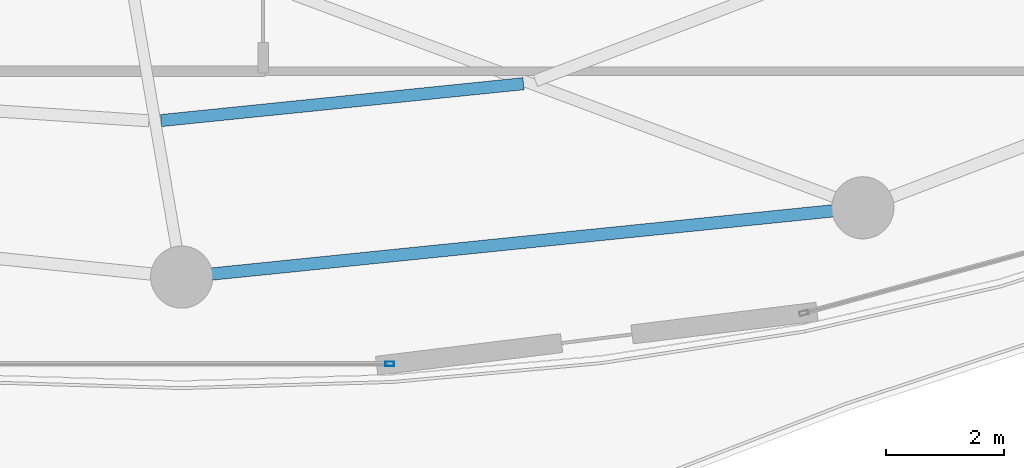
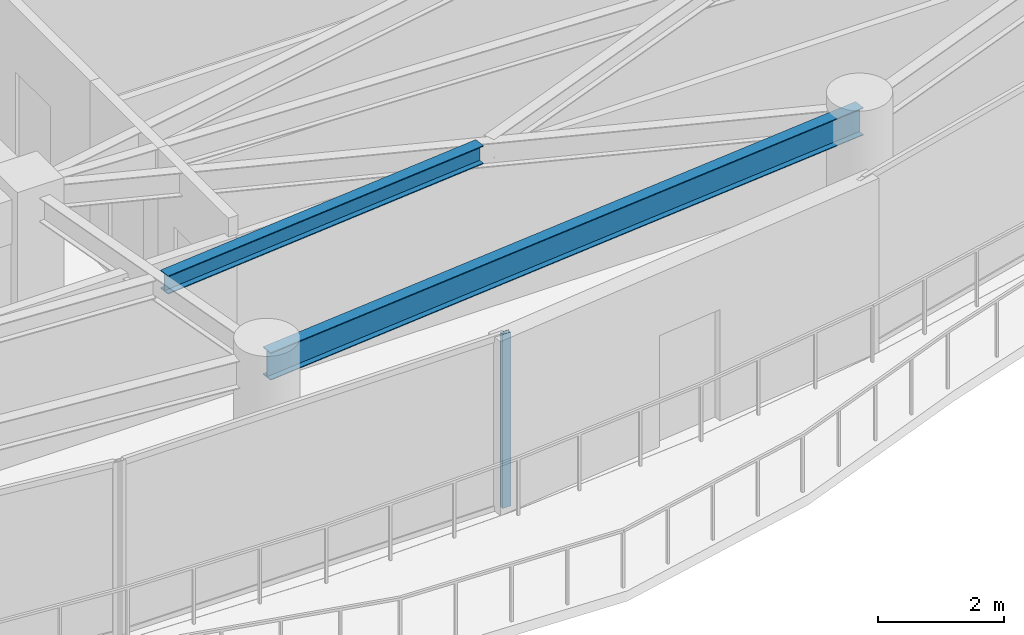
# One storey, part 10 of 31: 2 beams, 1 member, 1 element without a shape of its own.
"""IFC4 building model written with IfcOpenShell, lengths in metres."""

import ifcopenshell
import ifcopenshell.guid

model = None  # the IFC model being written
_history = None  # IfcOwnerHistory: only IFC2X3 demands one
_inside = {}  # id of a spatial element -> (the spatial element, [elements in it])
_under = {}  # id of a project, library or spatial element -> (it, [spatial elements below it])
_declared = {}  # id of a project -> (the project, [libraries it declares])
_typed = {}  # id of a type object -> (the type object, [elements of that type])
_made_of = {}  # id of a material, layer set ... -> (it, [elements and type objects made of it])


def new_model(schema):
    """Start an empty IFC model of exactly this schema.

    Asked for "IFC4X3", IfcOpenShell would pick the latest addendum, in which some entities
    have other attributes; the version numbers below select the first issue.
    IFC2X3 requires an IfcOwnerHistory on every rooted entity: one is made here for all.
    """
    global model, _history
    if schema == "IFC4X3":
        model = ifcopenshell.file(schema_version=(4, 3, 0, 0))
    else:
        model = ifcopenshell.file(schema=schema)
    _inside.clear()
    _under.clear()
    _declared.clear()
    _typed.clear()
    _made_of.clear()
    _history = None
    if model.schema == "IFC2X3":
        org = make("IfcOrganization", Name="unknown")
        user = make(
            "IfcPersonAndOrganization",
            ThePerson=make("IfcPerson", FamilyName="unknown"),
            TheOrganization=org,
        )
        app = make(
            "IfcApplication",
            ApplicationDeveloper=org,
            Version="unknown",
            ApplicationFullName="unknown",
            ApplicationIdentifier="unknown",
        )
        _history = make(
            "IfcOwnerHistory",
            OwningUser=user,
            OwningApplication=app,
            ChangeAction="ADDED",
            CreationDate=0,
        )
    return model


def make(cls, **values):
    """One entity of the class cls with the attributes given. An attribute that is None is left unset."""
    return model.create_entity(
        cls, **{name: value for name, value in values.items() if value is not None}
    )


def rooted(cls, **values):
    """An entity with a GlobalId (a new one), such as an element, a storey or a relation."""
    return make(cls, GlobalId=ifcopenshell.guid.new(), OwnerHistory=_history, **values)


def si_unit(unit_type, name, prefix=None):
    """IfcSIUnit, for example si_unit("LENGTHUNIT", "METRE", prefix="MILLI")."""
    return make("IfcSIUnit", UnitType=unit_type, Prefix=prefix, Name=name)


def assignment(units):
    """IfcUnitAssignment: the units of a project."""
    return None if units is None else make("IfcUnitAssignment", Units=units)


def point(xyz):
    """IfcCartesianPoint."""
    return None if xyz is None else make("IfcCartesianPoint", Coordinates=xyz)


def direction(xyz):
    """IfcDirection."""
    return None if xyz is None else make("IfcDirection", DirectionRatios=xyz)


def frame(location, z_axis=None, x_axis=None):
    """IfcAxis2Placement3D, a coordinate frame: its origin and axes. An axis left out is left unset."""
    return make(
        "IfcAxis2Placement3D",
        Location=point(location),
        Axis=direction(z_axis),
        RefDirection=direction(x_axis),
    )


def frame_2d(location, x_axis=None):
    """IfcAxis2Placement2D, a coordinate frame in the plane: its origin and x axis."""
    return make(
        "IfcAxis2Placement2D", Location=point(location), RefDirection=direction(x_axis)
    )


def origin():
    """The frame at (0, 0, 0) with its axes left unset."""
    return frame((0.0, 0.0, 0.0))


def origin_2d():
    """The frame at (0, 0) in the plane with its x axis left unset."""
    return frame_2d((0.0, 0.0))


def place(relative_to, where):
    """IfcLocalPlacement: puts the frame where relative to a parent placement (None: the world)."""
    return make(
        "IfcLocalPlacement", PlacementRelTo=relative_to, RelativePlacement=where
    )


def context(
    kind, dimensions, precision=None, world=None, true_north=None, identifier=None
):
    """IfcGeometricRepresentationContext, for example the 3D "Model" context."""
    return make(
        "IfcGeometricRepresentationContext",
        ContextIdentifier=identifier,
        ContextType=kind,
        CoordinateSpaceDimension=dimensions,
        Precision=precision,
        WorldCoordinateSystem=world,
        TrueNorth=true_north,
    )


def subcontext(parent, identifier, kind, view, scale=None):
    """IfcGeometricRepresentationSubContext, for example "Body" below "Model"."""
    return make(
        "IfcGeometricRepresentationSubContext",
        ContextIdentifier=identifier,
        ContextType=kind,
        ParentContext=parent,
        TargetScale=scale,
        TargetView=view,
    )


def project(units=None, contexts=None):
    """IfcProject with its units and contexts."""
    return rooted(
        "IfcProject",
        Name="project",
        RepresentationContexts=contexts,
        UnitsInContext=assignment(units),
    )


def spatial(cls, under=None, at=None, **own):
    """A site, building, storey or space (cls), placed at a placement, below another one or the project."""
    s = rooted(cls, ObjectPlacement=at, **own)
    if under is not None:
        _under.setdefault(under.id(), (under, []))[1].append(s)
    return s


def profile(cls, at=None, kind="AREA", **sizes):
    """A parametric profile (cls). Its sizes go by their IFC names, for example OverallWidth=200.0."""
    return make(cls, ProfileType=kind, Position=at, **sizes)


def hollow_rectangle(**sizes):
    """IfcRectangleHollowProfileDef."""
    return profile("IfcRectangleHollowProfileDef", **sizes)


def i_section(**sizes):
    """IfcIShapeProfileDef."""
    return profile("IfcIShapeProfileDef", **sizes)


def extrude(swept, where, along, depth):
    """IfcExtrudedAreaSolid: the profile swept, set in the frame where, extruded along a direction by depth."""
    return make(
        "IfcExtrudedAreaSolid",
        SweptArea=swept,
        Position=where,
        ExtrudedDirection=direction(along),
        Depth=depth,
    )


def shape(context_of_items, identifier, shape_type, items):
    """IfcShapeRepresentation: the items that make up one representation, for example the "Body"."""
    return make(
        "IfcShapeRepresentation",
        ContextOfItems=context_of_items,
        RepresentationIdentifier=identifier,
        RepresentationType=shape_type,
        Items=items,
    )


def material(Name=None, Category=None):
    """IfcMaterial."""
    return make("IfcMaterial", Name=Name, Category=Category)


def layer(
    of_material, thickness, ventilated=None, Name=None, Category=None, Priority=None
):
    """IfcMaterialLayer: one layer of a wall or slab, of a material (None: an air gap)."""
    return make(
        "IfcMaterialLayer",
        Material=of_material,
        LayerThickness=thickness,
        IsVentilated=ventilated,
        Name=Name,
        Category=Category,
        Priority=Priority,
    )


def layer_set(layers, Name=None):
    """IfcMaterialLayerSet."""
    return make("IfcMaterialLayerSet", MaterialLayers=layers, LayerSetName=Name)


def material_profile(
    of_material, cross_section, Name=None, Category=None, Priority=None
):
    """IfcMaterialProfile: a cross section and its material."""
    return make(
        "IfcMaterialProfile",
        Name=Name,
        Material=of_material,
        Profile=cross_section,
        Priority=Priority,
        Category=Category,
    )


def profile_set(profiles, Name=None, composite=None):
    """IfcMaterialProfileSet."""
    return make(
        "IfcMaterialProfileSet",
        Name=Name,
        MaterialProfiles=profiles,
        CompositeProfile=composite,
    )


def made_of(thing, what):
    """Note that an element or type object is made of a material, layer set ...; save() writes the relation."""
    if what is not None:
        _made_of.setdefault(what.id(), (what, []))[1].append(thing)
    return thing


def type_object(cls, material=None, **own):
    """A type object (cls), such as IfcWallType, which elements share."""
    return made_of(rooted(cls, **own), material)


def element(
    cls,
    number,
    at=None,
    inside=None,
    cuts=None,
    type_object=None,
    material=None,
    context=None,
    identifier="Body",
    shape_type=None,
    held_by="IfcProductDefinitionShape",
    body=None,
    shapes=None,
    **own,
):
    """One element of the class cls, such as IfcWall. Its Tag is "e" and its number.

    at: its placement. inside: the storey or other place that contains it. cuts: it is an
    opening in that element (IfcRelVoidsElement). A single representation is given by context,
    identifier, shape_type and body (its items); several are given by shapes. held_by: the class
    of the entity that holds the representations. save() writes the other relations.
    """
    e = rooted(cls, Tag="e%d" % number, ObjectPlacement=at, **own)
    if body is not None:
        shapes = [shape(context, identifier, shape_type, body)]
    if shapes is not None:
        e.Representation = make(held_by, Representations=shapes)
    if inside is not None:
        _inside.setdefault(inside.id(), (inside, []))[1].append(e)
    if cuts is not None:
        rooted(
            "IfcRelVoidsElement", RelatingBuildingElement=cuts, RelatedOpeningElement=e
        )
    if type_object is not None:
        _typed.setdefault(type_object.id(), (type_object, []))[1].append(e)
    return made_of(e, material)


def aggregate(whole, parts):
    """IfcRelAggregates: a whole, such as a stair, and the parts it consists of."""
    return rooted("IfcRelAggregates", RelatingObject=whole, RelatedObjects=parts)


def save(model, path):
    """Write the relations noted so far, then the file.

    IfcRelAggregates (storeys below a building ...), IfcRelContainedInSpatialStructure (elements
    in a storey), IfcRelDefinesByType, IfcRelAssociatesMaterial and IfcRelDeclares: one each for
    every whole, place, type object, material and project.
    """
    for whole, parts in _under.values():
        aggregate(whole, parts)
    for where, things in _inside.values():
        rooted(
            "IfcRelContainedInSpatialStructure",
            RelatedElements=things,
            RelatingStructure=where,
        )
    for kind, things in _typed.values():
        rooted("IfcRelDefinesByType", RelatedObjects=things, RelatingType=kind)
    for what, things in _made_of.values():
        rooted("IfcRelAssociatesMaterial", RelatedObjects=things, RelatingMaterial=what)
    for by, libraries in _declared.values():
        rooted("IfcRelDeclares", RelatingContext=by, RelatedDefinitions=libraries)
    model.write(path)


model = new_model("IFC4")

# Units and contexts
model_context = context("Model", 3, precision=1e-05, world=origin(), true_north=direction((0.0, 1.0)))
body_context = subcontext(model_context, "Body", "Model", "MODEL_VIEW")
ifc_project = project(units=[si_unit("LENGTHUNIT", "METRE"), si_unit("AREAUNIT", "SQUARE_METRE"), si_unit("VOLUMEUNIT", "CUBIC_METRE"), si_unit("PLANEANGLEUNIT", "RADIAN"), si_unit("MASSUNIT", "GRAM", prefix="KILO")], contexts=[model_context])

# Site, building, storey
site_placement = place(None, origin())
site = spatial("IfcSite", under=ifc_project, at=site_placement, CompositionType="ELEMENT")
building_placement = place(site_placement, origin())
building = spatial("IfcBuilding", under=site, at=building_placement, Name="Kazevale Care Tower and Concert Hall", CompositionType="ELEMENT")
storey_placement = place(building_placement, frame((0.0, 0.0, 202.800048828125)))
storey = spatial("IfcBuildingStorey", under=building, at=storey_placement, Name="L53", CompositionType="ELEMENT", Elevation=202.800048828125)

# Curtain wall, member
ifc_material_1 = material(Name="Aluminium 6063-T6 and Low-E Glass", Category="aluminium")
ifc_layer = layer(ifc_material_1, 0.179931640625)
ifc_layer_set = layer_set([ifc_layer], Name="Aluminium 6063-T6 and Low-E Glass")
curtain_wall_type = type_object("IfcCurtainWallType", Name="Sheltered Concave Balcony Curtain Wall CW-5", PredefinedType="NOTDEFINED", material=ifc_layer_set)
curtain_wall_placement = place(storey_placement, origin())
curtain_wall = element("IfcCurtainWall", 1, at=curtain_wall_placement, inside=storey, type_object=curtain_wall_type, Name="cw:L53:f06", PredefinedType="NOTDEFINED")
ifc_material_2 = material(Name="Aluminium 6063-T6", Category="aluminium")
ifc_material_profile_1 = material_profile(ifc_material_2, hollow_rectangle(XDim=0.074951171875, YDim=0.14990234375, WallThickness=0.00390625, at=origin_2d()), Name="ALU75x150x4")
ifc_profile_set_1 = profile_set([ifc_material_profile_1], Name="Aluminium 6063-T6")
member_type = type_object("IfcMemberType", Name="CW-5 Mullion ALU75x150x4", PredefinedType="MULLION", material=ifc_profile_set_1)
member_placement = place(storey_placement, frame((48.512451171875, 16.284912109375, 0.0), z_axis=(0.0, 0.0, 1.0), x_axis=(0.0, -1.0, 0.0)))
member = element("IfcMember", 2, at=member_placement, type_object=member_type, Name="CW-5 mullion 1", PredefinedType="MULLION", context=body_context, shape_type="SweptSolid", body=[
    extrude(hollow_rectangle(XDim=0.074951171875, YDim=0.14990234375, WallThickness=0.00390625, at=origin_2d()), origin(), (0.0, 0.0, 1.0), 3.35986328125),
])
aggregate(curtain_wall, [member])

# Beams
ifc_material_3 = material(Name="Steel ASTM A572 Gr 50", Category="steel")
ifc_material_profile_2 = material_profile(ifc_material_3, i_section(OverallWidth=0.205078125, OverallDepth=0.35400390625, WebThickness=0.009521484375, FlangeThickness=0.016845703125, at=origin_2d()), Name="W360x79")
ifc_profile_set_2 = profile_set([ifc_material_profile_2], Name="Steel ASTM A572 Gr 50")
beam_type_1 = type_object("IfcBeamType", Name="Secondary Floor Joist W360x79", PredefinedType="JOIST", material=ifc_profile_set_2)
beam_1_placement = place(storey_placement, frame((44.654052734375, 20.39306640625, 3.182861328125), z_axis=(0.994872697807, 0.10113513316, 0.0), x_axis=(-0.10113513316, 0.994872697807, 0.0)))
element("IfcBeam", 3, at=beam_1_placement, inside=storey, type_object=beam_type_1, Name="beam:L53:joist:13", PredefinedType="JOIST", context=body_context, shape_type="SweptSolid", body=[
    extrude(i_section(OverallWidth=0.205078125, OverallDepth=0.35400390625, WebThickness=0.009521484375, FlangeThickness=0.016845703125, at=origin_2d()), origin(), (0.0, 0.0, 1.0), 6.1484375),
])
ifc_material_profile_3 = material_profile(ifc_material_3, i_section(OverallWidth=0.208984375, OverallDepth=0.532958984375, WebThickness=0.01025390625, FlangeThickness=0.015625, at=origin_2d()), Name="W530x92")
ifc_profile_set_3 = profile_set([ifc_material_profile_3], Name="Steel ASTM A572 Gr 50")
beam_type_2 = type_object("IfcBeamType", Name="Upper Ring Beam W530x92", PredefinedType="BEAM", material=ifc_profile_set_3)
beam_2_placement = place(storey_placement, frame((45.0, 17.75, 3.093505859375), z_axis=(0.994865089307, 0.101209950492, 0.0), x_axis=(-0.101209950492, 0.994865089307, 0.0)))
element("IfcBeam", 4, at=beam_2_placement, inside=storey, type_object=beam_type_2, Name="beam:L53:ring:13", PredefinedType="BEAM", context=body_context, shape_type="SweptSolid", body=[
    extrude(i_section(OverallWidth=0.208984375, OverallDepth=0.532958984375, WebThickness=0.01025390625, FlangeThickness=0.015625, at=origin_2d()), origin(), (0.0, 0.0, 1.0), 11.559326171875),
])

save(model, "model.ifc")
